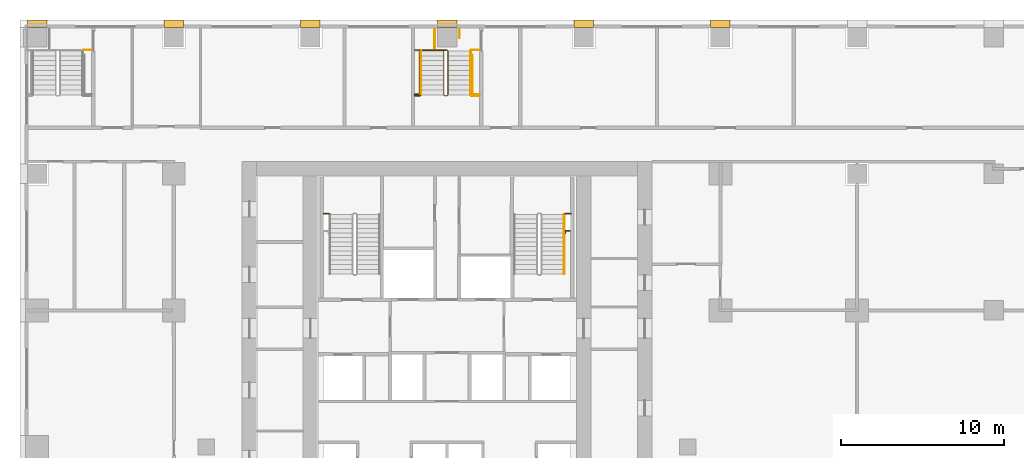
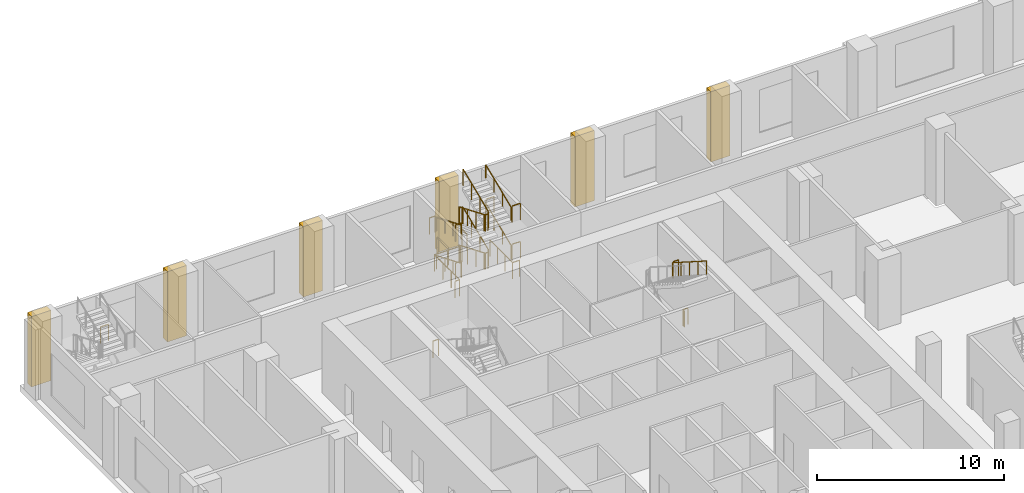
# One storey, part 20 of 23: 20 railings, 6 coverings.
"""IFC4 building model written with IfcOpenShell, lengths in metres."""

from ifc_helpers import new_model, si_unit, direction, frame, origin, origin_2d, place, context, subcontext, project, spatial, polyline, rectangle, outline, extrude, material, type_object, element, save


model = new_model("IFC4")

# Units and contexts
model_context = context("Model", 3, precision=1e-05, world=origin(), true_north=direction((0.0, 1.0)))
body_context = subcontext(model_context, "Body", "Model", "MODEL_VIEW")
ifc_project = project(units=[si_unit("LENGTHUNIT", "METRE"), si_unit("AREAUNIT", "SQUARE_METRE"), si_unit("VOLUMEUNIT", "CUBIC_METRE"), si_unit("PLANEANGLEUNIT", "RADIAN"), si_unit("MASSUNIT", "GRAM", prefix="KILO")], contexts=[model_context])

# Site, building, storey
site_placement = place(None, origin())
site = spatial("IfcSite", under=ifc_project, at=site_placement, CompositionType="ELEMENT")
building_placement = place(site_placement, origin())
building = spatial("IfcBuilding", under=site, at=building_placement, Name="Vermilion Ogive Tower", CompositionType="ELEMENT")
storey_placement = place(building_placement, frame((0.0, 0.0, 20.0)))
storey = spatial("IfcBuildingStorey", under=building, at=storey_placement, Name="L03", CompositionType="ELEMENT", Elevation=20.0)

# Railings
ifc_material_1 = material(Name="Steel S355 painted", Category="steel")
railing_type_1 = type_object("IfcRailingType", Name="Stair guard 1100", PredefinedType="GUARDRAIL", material=ifc_material_1)
railing_1_placement = place(storey_placement, frame((0.0, 28.60009765625, 0.0)))
element("IfcRailing", 1, at=railing_1_placement, inside=storey, type_object=railing_type_1, Name="L03 PS5 stair guard 8", PredefinedType="GUARDRAIL", context=body_context, shape_type="SweptSolid", body=[
    extrude(rectangle(XDim=0.048095703125, YDim=0.048095703125, at=origin_2d()), frame((0.0, 0.0, 1.076171875), z_axis=(-1.0, 0.0, 0.0), x_axis=(0.0, -1.0, 0.0)), (0.0, 0.0, 1.0), 0.14990234375),
    extrude(rectangle(XDim=0.048095703125, YDim=0.048095703125, at=origin_2d()), frame((-0.14990234375, 0.0, 1.076171875), z_axis=(-0.34841279274, -0.34841279274, 0.870182194549), x_axis=(0.707106781187, -0.707106781187, 0.0)), (0.0, 0.0, 1.0), 0.1435546875),
    extrude(rectangle(XDim=0.048095703125, YDim=0.048095703125, at=origin_2d()), frame((-0.199951171875, -0.050048828125, 1.201171875), z_axis=(0.0, -0.923074453586, 0.384621311341), x_axis=(1.0, 0.0, 0.0)), (0.0, 0.0, 1.0), 2.925048828125),
    extrude(rectangle(XDim=0.048095703125, YDim=0.048095703125, at=origin_2d()), frame((-0.199951171875, -2.75, 2.326171875), z_axis=(0.707106781187, -0.707106781187, 0.0), x_axis=(0.707106781187, 0.707106781187, 0.0)), (0.0, 0.0, 1.0), 0.07080078125),
    extrude(rectangle(XDim=0.048095703125, YDim=0.048095703125, at=origin_2d()), frame((-0.14990234375, -2.800048828125, 2.326171875), z_axis=(1.0, 0.0, 0.0), x_axis=(0.0, 1.0, 0.0)), (0.0, 0.0, 1.0), 0.14990234375),
    extrude(rectangle(XDim=0.048095703125, YDim=0.048095703125, at=origin_2d()), frame((0.0, -2.800048828125, 2.326171875), z_axis=(0.34841279274, 0.34841279274, 0.870182194549), x_axis=(-0.707106781187, 0.707106781187, 0.0)), (0.0, 0.0, 1.0), 0.1435546875),
    extrude(rectangle(XDim=0.048095703125, YDim=0.048095703125, at=origin_2d()), frame((0.050048828125, -2.75, 2.451171875), z_axis=(0.0, 0.923074453586, 0.384621311341), x_axis=(-1.0, 0.0, 0.0)), (0.0, 0.0, 1.0), 2.925048828125),
    extrude(rectangle(XDim=0.048095703125, YDim=0.048095703125, at=origin_2d()), frame((0.050048828125, -0.050048828125, 3.576171875), z_axis=(-0.707106781187, 0.707106781187, 0.0), x_axis=(-0.707106781187, -0.707106781187, 0.0)), (0.0, 0.0, 1.0), 0.07080078125),
    extrude(rectangle(XDim=0.048095703125, YDim=0.048095703125, at=origin_2d()), frame((0.0, 0.0, 3.576171875), z_axis=(-1.0, 0.0, 0.0), x_axis=(0.0, -1.0, 0.0)), (0.0, 0.0, 1.0), 0.14990234375),
    extrude(rectangle(XDim=0.048095703125, YDim=0.048095703125, at=origin_2d()), frame((-0.14990234375, 0.0, 3.576171875), z_axis=(-0.34841279274, -0.34841279274, 0.870182194549), x_axis=(0.707106781187, -0.707106781187, 0.0)), (0.0, 0.0, 1.0), 0.1435546875),
    extrude(rectangle(XDim=0.048095703125, YDim=0.048095703125, at=origin_2d()), frame((-0.199951171875, -0.050048828125, 3.701171875), z_axis=(0.0, -0.923074453586, 0.384621311341), x_axis=(1.0, 0.0, 0.0)), (0.0, 0.0, 1.0), 2.925048828125),
    extrude(rectangle(XDim=0.048095703125, YDim=0.048095703125, at=origin_2d()), frame((-0.199951171875, -2.75, 4.826171875), z_axis=(0.707106781187, -0.707106781187, 0.0), x_axis=(0.707106781187, 0.707106781187, 0.0)), (0.0, 0.0, 1.0), 0.07080078125),
    extrude(rectangle(XDim=0.048095703125, YDim=0.048095703125, at=origin_2d()), frame((-0.14990234375, -2.800048828125, 4.826171875), z_axis=(1.0, 0.0, 0.0), x_axis=(0.0, 1.0, 0.0)), (0.0, 0.0, 1.0), 0.14990234375),
    extrude(rectangle(XDim=0.048095703125, YDim=0.048095703125, at=origin_2d()), frame((0.0, -2.800048828125, 4.826171875), z_axis=(0.34841279274, 0.34841279274, 0.870182194549), x_axis=(-0.707106781187, 0.707106781187, 0.0)), (0.0, 0.0, 1.0), 0.1435546875),
    extrude(rectangle(XDim=0.048095703125, YDim=0.048095703125, at=origin_2d()), frame((0.050048828125, -2.75, 4.951171875), z_axis=(0.0, 0.923074453586, 0.384621311341), x_axis=(-1.0, 0.0, 0.0)), (0.0, 0.0, 1.0), 2.925048828125),
    extrude(rectangle(XDim=0.0419921875, YDim=0.0419921875, at=origin_2d()), origin(), (0.0, 0.0, 1.0), 1.052001953125),
    extrude(rectangle(XDim=0.0419921875, YDim=0.0419921875, at=origin_2d()), frame((-0.14990234375, 0.0, 0.0)), (0.0, 0.0, 1.0), 1.052001953125),
    extrude(rectangle(XDim=0.0419921875, YDim=0.0419921875, at=origin_2d()), frame((-0.199951171875, -0.050048828125, 0.125)), (0.0, 0.0, 1.0), 1.052001953125),
    extrude(rectangle(XDim=0.0419921875, YDim=0.0419921875, at=origin_2d()), frame((-0.199951171875, -0.949951171875, 0.5)), (0.0, 0.0, 1.0), 1.052001953125),
    extrude(rectangle(XDim=0.0419921875, YDim=0.0419921875, at=origin_2d()), frame((-0.199951171875, -1.85009765625, 0.875)), (0.0, 0.0, 1.0), 1.052001953125),
    extrude(rectangle(XDim=0.0419921875, YDim=0.0419921875, at=origin_2d()), frame((-0.199951171875, -2.75, 1.25)), (0.0, 0.0, 1.0), 1.052001953125),
    extrude(rectangle(XDim=0.0419921875, YDim=0.0419921875, at=origin_2d()), frame((-0.14990234375, -2.800048828125, 1.25)), (0.0, 0.0, 1.0), 1.052001953125),
    extrude(rectangle(XDim=0.0419921875, YDim=0.0419921875, at=origin_2d()), frame((0.0, -2.800048828125, 1.25)), (0.0, 0.0, 1.0), 1.052001953125),
    extrude(rectangle(XDim=0.0419921875, YDim=0.0419921875, at=origin_2d()), frame((0.050048828125, -2.75, 1.375)), (0.0, 0.0, 1.0), 1.052001953125),
    extrude(rectangle(XDim=0.0419921875, YDim=0.0419921875, at=origin_2d()), frame((0.050048828125, -1.85009765625, 1.75)), (0.0, 0.0, 1.0), 1.052001953125),
    extrude(rectangle(XDim=0.0419921875, YDim=0.0419921875, at=origin_2d()), frame((0.050048828125, -0.949951171875, 2.125)), (0.0, 0.0, 1.0), 1.052001953125),
    extrude(rectangle(XDim=0.0419921875, YDim=0.0419921875, at=origin_2d()), frame((0.050048828125, -0.050048828125, 2.5)), (0.0, 0.0, 1.0), 1.052001953125),
    extrude(rectangle(XDim=0.0419921875, YDim=0.0419921875, at=origin_2d()), frame((0.0, 0.0, 2.5)), (0.0, 0.0, 1.0), 1.052001953125),
    extrude(rectangle(XDim=0.0419921875, YDim=0.0419921875, at=origin_2d()), frame((-0.14990234375, 0.0, 2.5)), (0.0, 0.0, 1.0), 1.052001953125),
    extrude(rectangle(XDim=0.0419921875, YDim=0.0419921875, at=origin_2d()), frame((-0.199951171875, -0.050048828125, 2.625)), (0.0, 0.0, 1.0), 1.052001953125),
    extrude(rectangle(XDim=0.0419921875, YDim=0.0419921875, at=origin_2d()), frame((-0.199951171875, -0.949951171875, 3.0)), (0.0, 0.0, 1.0), 1.052001953125),
    extrude(rectangle(XDim=0.0419921875, YDim=0.0419921875, at=origin_2d()), frame((-0.199951171875, -1.85009765625, 3.375)), (0.0, 0.0, 1.0), 1.052001953125),
    extrude(rectangle(XDim=0.0419921875, YDim=0.0419921875, at=origin_2d()), frame((-0.199951171875, -2.75, 3.75)), (0.0, 0.0, 1.0), 1.052001953125),
    extrude(rectangle(XDim=0.0419921875, YDim=0.0419921875, at=origin_2d()), frame((-0.14990234375, -2.800048828125, 3.75)), (0.0, 0.0, 1.0), 1.052001953125),
    extrude(rectangle(XDim=0.0419921875, YDim=0.0419921875, at=origin_2d()), frame((0.0, -2.800048828125, 3.75)), (0.0, 0.0, 1.0), 1.052001953125),
    extrude(rectangle(XDim=0.0419921875, YDim=0.0419921875, at=origin_2d()), frame((0.050048828125, -2.75, 3.875)), (0.0, 0.0, 1.0), 1.052001953125),
    extrude(rectangle(XDim=0.0419921875, YDim=0.0419921875, at=origin_2d()), frame((0.050048828125, -1.85009765625, 4.25)), (0.0, 0.0, 1.0), 1.052001953125),
    extrude(rectangle(XDim=0.0419921875, YDim=0.0419921875, at=origin_2d()), frame((0.050048828125, -0.949951171875, 4.625)), (0.0, 0.0, 1.0), 1.052001953125),
    extrude(rectangle(XDim=0.0419921875, YDim=0.0419921875, at=origin_2d()), frame((0.050048828125, -0.050048828125, 5.0)), (0.0, 0.0, 1.0), 1.052001953125),
])
for number, where, name in (
    (2, (-7.60009765625, 18.5400390625, 2.5), "L03 landing guard"),
    (3, (7.25, 18.5400390625, 2.5), "L03 landing guard"),
):
    element("IfcRailing", number, at=place(storey_placement, frame(where)), inside=storey, type_object=railing_type_1, Name=name, PredefinedType="GUARDRAIL", context=body_context, shape_type="SweptSolid", body=[
        extrude(rectangle(XDim=0.048095703125, YDim=0.048095703125, at=origin_2d()), frame((0.0, 0.0, 1.076171875), z_axis=(1.0, 0.0, 0.0), x_axis=(0.0, 1.0, 0.0)), (0.0, 0.0, 1.0), 0.35009765625),
        extrude(rectangle(XDim=0.0419921875, YDim=0.0419921875, at=origin_2d()), origin(), (0.0, 0.0, 1.0), 1.052001953125),
        extrude(rectangle(XDim=0.0419921875, YDim=0.0419921875, at=origin_2d()), frame((0.35009765625, 0.0, 0.0)), (0.0, 0.0, 1.0), 1.052001953125),
    ])
railing_2_placement = place(storey_placement, frame((-22.35009765625, 28.60009765625, 2.5)))
element("IfcRailing", 4, at=railing_2_placement, inside=storey, type_object=railing_type_1, Name="L03 landing guard", PredefinedType="GUARDRAIL", context=body_context, shape_type="SweptSolid", body=[
    extrude(rectangle(XDim=0.048095703125, YDim=0.048095703125, at=origin_2d()), frame((0.0, 0.0, 1.076171875), z_axis=(1.0, 0.0, 0.0), x_axis=(0.0, 1.0, 0.0)), (0.0, 0.0, 1.0), 0.5),
    extrude(rectangle(XDim=0.0419921875, YDim=0.0419921875, at=origin_2d()), origin(), (0.0, 0.0, 1.0), 1.052001953125),
    extrude(rectangle(XDim=0.0419921875, YDim=0.0419921875, at=origin_2d()), frame((0.5, 0.0, 0.0)), (0.0, 0.0, 1.0), 1.052001953125),
])
railing_3_placement = place(storey_placement, frame((-2.0, 25.800048828125, 1.25)))
element("IfcRailing", 5, at=railing_3_placement, inside=storey, type_object=railing_type_1, Name="L03 landing guard", PredefinedType="GUARDRAIL", context=body_context, shape_type="SweptSolid", body=[
    extrude(rectangle(XDim=0.048095703125, YDim=0.048095703125, at=origin_2d()), frame((0.0, 0.0, 1.076171875), z_axis=(1.0, 0.0, 0.0), x_axis=(0.0, 1.0, 0.0)), (0.0, 0.0, 1.0), 0.35009765625),
    extrude(rectangle(XDim=0.0419921875, YDim=0.0419921875, at=origin_2d()), origin(), (0.0, 0.0, 1.0), 1.052001953125),
    extrude(rectangle(XDim=0.0419921875, YDim=0.0419921875, at=origin_2d()), frame((0.35009765625, 0.0, 0.0)), (0.0, 0.0, 1.0), 1.052001953125),
])
railing_4_placement = place(storey_placement, frame((1.5, 25.800048828125, 1.25)))
element("IfcRailing", 6, at=railing_4_placement, inside=storey, type_object=railing_type_1, Name="L03 landing guard", PredefinedType="GUARDRAIL", context=body_context, shape_type="SweptSolid", body=[
    extrude(rectangle(XDim=0.048095703125, YDim=0.048095703125, at=origin_2d()), frame((0.0, 0.0, 1.076171875), z_axis=(1.0, 0.0, 0.0), x_axis=(0.0, 1.0, 0.0)), (0.0, 0.0, 1.0), 0.5),
    extrude(rectangle(XDim=0.0419921875, YDim=0.0419921875, at=origin_2d()), origin(), (0.0, 0.0, 1.0), 1.052001953125),
    extrude(rectangle(XDim=0.0419921875, YDim=0.0419921875, at=origin_2d()), frame((0.5, 0.0, 0.0)), (0.0, 0.0, 1.0), 1.052001953125),
])
railing_5_placement = place(storey_placement, frame((-2.0, 28.60009765625, 2.5)))
element("IfcRailing", 7, at=railing_5_placement, inside=storey, type_object=railing_type_1, Name="L03 landing guard", PredefinedType="GUARDRAIL", context=body_context, shape_type="SweptSolid", body=[
    extrude(rectangle(XDim=0.048095703125, YDim=0.048095703125, at=origin_2d()), frame((0.0, 0.0, 1.076171875), z_axis=(1.0, 0.0, 0.0), x_axis=(0.0, 1.0, 0.0)), (0.0, 0.0, 1.0), 0.35009765625),
    extrude(rectangle(XDim=0.0419921875, YDim=0.0419921875, at=origin_2d()), origin(), (0.0, 0.0, 1.0), 1.052001953125),
    extrude(rectangle(XDim=0.0419921875, YDim=0.0419921875, at=origin_2d()), frame((0.35009765625, 0.0, 0.0)), (0.0, 0.0, 1.0), 1.052001953125),
])
railing_6_placement = place(storey_placement, frame((1.5, 28.60009765625, 2.5)))
element("IfcRailing", 8, at=railing_6_placement, inside=storey, type_object=railing_type_1, Name="L03 landing guard", PredefinedType="GUARDRAIL", context=body_context, shape_type="SweptSolid", body=[
    extrude(rectangle(XDim=0.048095703125, YDim=0.048095703125, at=origin_2d()), frame((0.0, 0.0, 1.076171875), z_axis=(1.0, 0.0, 0.0), x_axis=(0.0, 1.0, 0.0)), (0.0, 0.0, 1.0), 0.5),
    extrude(rectangle(XDim=0.0419921875, YDim=0.0419921875, at=origin_2d()), origin(), (0.0, 0.0, 1.0), 1.052001953125),
    extrude(rectangle(XDim=0.0419921875, YDim=0.0419921875, at=origin_2d()), frame((0.5, 0.0, 0.0)), (0.0, 0.0, 1.0), 1.052001953125),
])
railing_7_placement = place(storey_placement, frame((-2.0, 25.800048828125, 3.75)))
element("IfcRailing", 9, at=railing_7_placement, inside=storey, type_object=railing_type_1, Name="L03 landing guard", PredefinedType="GUARDRAIL", context=body_context, shape_type="SweptSolid", body=[
    extrude(rectangle(XDim=0.048095703125, YDim=0.048095703125, at=origin_2d()), frame((0.0, 0.0, 1.076171875), z_axis=(1.0, 0.0, 0.0), x_axis=(0.0, 1.0, 0.0)), (0.0, 0.0, 1.0), 0.35009765625),
    extrude(rectangle(XDim=0.0419921875, YDim=0.0419921875, at=origin_2d()), origin(), (0.0, 0.0, 1.0), 1.052001953125),
    extrude(rectangle(XDim=0.0419921875, YDim=0.0419921875, at=origin_2d()), frame((0.35009765625, 0.0, 0.0)), (0.0, 0.0, 1.0), 1.052001953125),
])
railing_8_placement = place(storey_placement, frame((1.5, 25.800048828125, 3.75)))
element("IfcRailing", 10, at=railing_8_placement, inside=storey, type_object=railing_type_1, Name="L03 landing guard", PredefinedType="GUARDRAIL", context=body_context, shape_type="SweptSolid", body=[
    extrude(rectangle(XDim=0.048095703125, YDim=0.048095703125, at=origin_2d()), frame((0.0, 0.0, 1.076171875), z_axis=(1.0, 0.0, 0.0), x_axis=(0.0, 1.0, 0.0)), (0.0, 0.0, 1.0), 0.5),
    extrude(rectangle(XDim=0.0419921875, YDim=0.0419921875, at=origin_2d()), origin(), (0.0, 0.0, 1.0), 1.052001953125),
    extrude(rectangle(XDim=0.0419921875, YDim=0.0419921875, at=origin_2d()), frame((0.5, 0.0, 0.0)), (0.0, 0.0, 1.0), 1.052001953125),
])
railing_9_placement = place(storey_placement, frame((-1.9892578125, 25.884521484375, 0.0)))
element("IfcRailing", 11, at=railing_9_placement, inside=storey, type_object=railing_type_1, Name="L03 stair opening guard", PredefinedType="GUARDRAIL", context=body_context, shape_type="SweptSolid", body=[
    extrude(rectangle(XDim=0.048095703125, YDim=0.048095703125, at=origin_2d()), frame((0.0, 0.0, 1.076171875), z_axis=(1.0, 0.0, 0.0), x_axis=(0.0, 1.0, 0.0)), (0.0, 0.0, 1.0), 0.2900390625),
    extrude(rectangle(XDim=0.048095703125, YDim=0.048095703125, at=origin_2d()), frame((0.2900390625, 0.0, 1.076171875), z_axis=(0.0, 1.0, 0.0), x_axis=(-1.0, 0.0, 0.0)), (0.0, 0.0, 1.0), 2.699951171875),
    extrude(rectangle(XDim=0.048095703125, YDim=0.048095703125, at=origin_2d()), frame((0.2900390625, 2.699951171875, 1.076171875), z_axis=(1.0, 0.0, 0.0), x_axis=(0.0, 1.0, 0.0)), (0.0, 0.0, 1.0), 1.60009765625),
    extrude(rectangle(XDim=0.0419921875, YDim=0.0419921875, at=origin_2d()), origin(), (0.0, 0.0, 1.0), 1.052001953125),
    extrude(rectangle(XDim=0.0419921875, YDim=0.0419921875, at=origin_2d()), frame((0.2900390625, 0.0, 0.0)), (0.0, 0.0, 1.0), 1.052001953125),
    extrude(rectangle(XDim=0.0419921875, YDim=0.0419921875, at=origin_2d()), frame((0.2900390625, 0.89990234375, 0.0)), (0.0, 0.0, 1.0), 1.052001953125),
    extrude(rectangle(XDim=0.0419921875, YDim=0.0419921875, at=origin_2d()), frame((0.2900390625, 1.800048828125, 0.0)), (0.0, 0.0, 1.0), 1.052001953125),
    extrude(rectangle(XDim=0.0419921875, YDim=0.0419921875, at=origin_2d()), frame((0.2900390625, 2.699951171875, 0.0)), (0.0, 0.0, 1.0), 1.052001953125),
    extrude(rectangle(XDim=0.0419921875, YDim=0.0419921875, at=origin_2d()), frame((1.090087890625, 2.699951171875, 0.0)), (0.0, 0.0, 1.0), 1.052001953125),
    extrude(rectangle(XDim=0.0419921875, YDim=0.0419921875, at=origin_2d()), frame((1.89013671875, 2.699951171875, 0.0)), (0.0, 0.0, 1.0), 1.052001953125),
])
railing_10_placement = place(storey_placement, frame((1.55908203125, 28.284912109375, 0.0)))
element("IfcRailing", 12, at=railing_10_placement, inside=storey, type_object=railing_type_1, Name="L03 stair opening guard", PredefinedType="GUARDRAIL", context=body_context, shape_type="SweptSolid", body=[
    extrude(rectangle(XDim=0.048095703125, YDim=0.048095703125, at=origin_2d()), frame((0.0, 0.0, 1.076171875), z_axis=(0.0, -1.0, 0.0), x_axis=(1.0, 0.0, 0.0)), (0.0, 0.0, 1.0), 2.42431640625),
    extrude(rectangle(XDim=0.048095703125, YDim=0.048095703125, at=origin_2d()), frame((0.0, -2.42431640625, 1.076171875), z_axis=(1.0, 0.0, 0.0), x_axis=(0.0, 1.0, 0.0)), (0.0, 0.0, 1.0), 0.43994140625),
    extrude(rectangle(XDim=0.0419921875, YDim=0.0419921875, at=origin_2d()), origin(), (0.0, 0.0, 1.0), 1.052001953125),
    extrude(rectangle(XDim=0.0419921875, YDim=0.0419921875, at=origin_2d()), frame((0.0, -0.80810546875, 0.0)), (0.0, 0.0, 1.0), 1.052001953125),
    extrude(rectangle(XDim=0.0419921875, YDim=0.0419921875, at=origin_2d()), frame((0.0, -1.6162109375, 0.0)), (0.0, 0.0, 1.0), 1.052001953125),
    extrude(rectangle(XDim=0.0419921875, YDim=0.0419921875, at=origin_2d()), frame((0.0, -2.42431640625, 0.0)), (0.0, 0.0, 1.0), 1.052001953125),
    extrude(rectangle(XDim=0.0419921875, YDim=0.0419921875, at=origin_2d()), frame((0.43994140625, -2.42431640625, 0.0)), (0.0, 0.0, 1.0), 1.052001953125),
])
railing_11_placement = place(storey_placement, frame((7.27294921875, 17.37451171875, 0.0)))
element("IfcRailing", 13, at=railing_11_placement, inside=storey, type_object=railing_type_1, Name="L03 stair opening guard", PredefinedType="GUARDRAIL", context=body_context, shape_type="SweptSolid", body=[
    extrude(rectangle(XDim=0.048095703125, YDim=0.048095703125, at=origin_2d()), frame((0.0, 0.0, 1.076171875), z_axis=(0.0, 1.0, 0.0), x_axis=(-1.0, 0.0, 0.0)), (0.0, 0.0, 1.0), 0.1201171875),
    extrude(rectangle(XDim=0.048095703125, YDim=0.048095703125, at=origin_2d()), frame((0.0, 0.1201171875, 1.076171875), z_axis=(1.0, 0.0, 0.0), x_axis=(0.0, 1.0, 0.0)), (0.0, 0.0, 1.0), 0.2900390625),
    extrude(rectangle(XDim=0.0419921875, YDim=0.0419921875, at=origin_2d()), origin(), (0.0, 0.0, 1.0), 1.052001953125),
    extrude(rectangle(XDim=0.0419921875, YDim=0.0419921875, at=origin_2d()), frame((0.0, 0.1201171875, 0.0)), (0.0, 0.0, 1.0), 1.052001953125),
    extrude(rectangle(XDim=0.0419921875, YDim=0.0419921875, at=origin_2d()), frame((0.2900390625, 0.1201171875, 0.0)), (0.0, 0.0, 1.0), 1.052001953125),
])
railing_12_placement = place(storey_placement, frame((0.760009765625, 29.347412109375, 0.0)))
element("IfcRailing", 14, at=railing_12_placement, inside=storey, type_object=railing_type_1, Name="L03 stair opening guard", PredefinedType="GUARDRAIL", context=body_context, shape_type="SweptSolid", body=[
    extrude(rectangle(XDim=0.048095703125, YDim=0.048095703125, at=origin_2d()), frame((0.0, 0.0, 1.076171875), z_axis=(0.0, 1.0, 0.0), x_axis=(-1.0, 0.0, 0.0)), (0.0, 0.0, 1.0), 0.54248046875),
    extrude(rectangle(XDim=0.0419921875, YDim=0.0419921875, at=origin_2d()), origin(), (0.0, 0.0, 1.0), 1.052001953125),
    extrude(rectangle(XDim=0.0419921875, YDim=0.0419921875, at=origin_2d()), frame((0.0, 0.54248046875, 0.0)), (0.0, 0.0, 1.0), 1.052001953125),
])
railing_13_placement = place(storey_placement, frame((-0.760009765625, 29.889892578125, 0.0)))
element("IfcRailing", 15, at=railing_13_placement, inside=storey, type_object=railing_type_1, Name="L03 stair opening guard", PredefinedType="GUARDRAIL", context=body_context, shape_type="SweptSolid", body=[
    extrude(rectangle(XDim=0.048095703125, YDim=0.048095703125, at=origin_2d()), frame((0.0, 0.0, 1.076171875), z_axis=(0.0, -1.0, 0.0), x_axis=(1.0, 0.0, 0.0)), (0.0, 0.0, 1.0), 1.1552734375),
    extrude(rectangle(XDim=0.0419921875, YDim=0.0419921875, at=origin_2d()), origin(), (0.0, 0.0, 1.0), 1.052001953125),
    extrude(rectangle(XDim=0.0419921875, YDim=0.0419921875, at=origin_2d()), frame((0.0, -1.1552734375, 0.0)), (0.0, 0.0, 1.0), 1.052001953125),
])
ifc_material_2 = material(Name="Stainless steel", Category="steel")
railing_type_2 = type_object("IfcRailingType", Name="Stair handrail 900", PredefinedType="HANDRAIL", material=ifc_material_2)
railing_14_placement = place(storey_placement, frame((7.199951171875, 18.489990234375, 2.678466796875)))
element("IfcRailing", 16, at=railing_14_placement, inside=storey, type_object=railing_type_2, Name="L03 ST2 stair handrail 2", PredefinedType="HANDRAIL", context=body_context, shape_type="SweptSolid", body=[
    extrude(rectangle(XDim=0.048095703125, YDim=0.048095703125, at=origin_2d()), frame((0.0, 0.0, 0.8759765625), z_axis=(0.0, -0.843111507901, 0.53773877045), x_axis=(1.0, 0.0, 0.0)), (0.0, 0.0, 1.0), 4.317138671875),
    extrude(rectangle(XDim=0.0419921875, YDim=0.0419921875, at=origin_2d()), origin(), (0.0, 0.0, 1.0), 0.851806640625),
    extrude(rectangle(XDim=0.0419921875, YDim=0.0419921875, at=origin_2d()), frame((0.0, -0.909912109375, 0.580322265625)), (0.0, 0.0, 1.0), 0.851806640625),
    extrude(rectangle(XDim=0.0419921875, YDim=0.0419921875, at=origin_2d()), frame((0.0, -1.81982421875, 1.16064453125)), (0.0, 0.0, 1.0), 0.851806640625),
    extrude(rectangle(XDim=0.0419921875, YDim=0.0419921875, at=origin_2d()), frame((0.0, -2.72998046875, 1.7412109375)), (0.0, 0.0, 1.0), 0.851806640625),
    extrude(rectangle(XDim=0.0419921875, YDim=0.0419921875, at=origin_2d()), frame((0.0, -3.639892578125, 2.321533203125)), (0.0, 0.0, 1.0), 0.851806640625),
])
railing_15_placement = place(storey_placement, frame((-1.60009765625, 28.550048828125, 0.125)))
element("IfcRailing", 17, at=railing_15_placement, inside=storey, type_object=railing_type_2, Name="L03 PS5 stair handrail 1", PredefinedType="HANDRAIL", context=body_context, shape_type="SweptSolid", body=[
    extrude(rectangle(XDim=0.048095703125, YDim=0.048095703125, at=origin_2d()), frame((0.0, 0.0, 0.8759765625), z_axis=(0.0, -0.923074453586, 0.384621311341), x_axis=(1.0, 0.0, 0.0)), (0.0, 0.0, 1.0), 2.925048828125),
    extrude(rectangle(XDim=0.0419921875, YDim=0.0419921875, at=origin_2d()), origin(), (0.0, 0.0, 1.0), 0.851806640625),
    extrude(rectangle(XDim=0.0419921875, YDim=0.0419921875, at=origin_2d()), frame((0.0, -0.89990234375, 0.375)), (0.0, 0.0, 1.0), 0.851806640625),
    extrude(rectangle(XDim=0.0419921875, YDim=0.0419921875, at=origin_2d()), frame((0.0, -1.800048828125, 0.75)), (0.0, 0.0, 1.0), 0.851806640625),
    extrude(rectangle(XDim=0.0419921875, YDim=0.0419921875, at=origin_2d()), frame((0.0, -2.699951171875, 1.125)), (0.0, 0.0, 1.0), 0.851806640625),
])
railing_16_placement = place(storey_placement, frame((1.449951171875, 25.85009765625, 1.375)))
element("IfcRailing", 18, at=railing_16_placement, inside=storey, type_object=railing_type_2, Name="L03 PS5 stair handrail 2", PredefinedType="HANDRAIL", context=body_context, shape_type="SweptSolid", body=[
    extrude(rectangle(XDim=0.048095703125, YDim=0.048095703125, at=origin_2d()), frame((0.0, 0.0, 0.8759765625), z_axis=(0.0, 0.923074453586, 0.384621311341), x_axis=(-1.0, 0.0, 0.0)), (0.0, 0.0, 1.0), 2.925048828125),
    extrude(rectangle(XDim=0.0419921875, YDim=0.0419921875, at=origin_2d()), origin(), (0.0, 0.0, 1.0), 0.851806640625),
    extrude(rectangle(XDim=0.0419921875, YDim=0.0419921875, at=origin_2d()), frame((0.0, 0.89990234375, 0.375)), (0.0, 0.0, 1.0), 0.851806640625),
    extrude(rectangle(XDim=0.0419921875, YDim=0.0419921875, at=origin_2d()), frame((0.0, 1.800048828125, 0.75)), (0.0, 0.0, 1.0), 0.851806640625),
    extrude(rectangle(XDim=0.0419921875, YDim=0.0419921875, at=origin_2d()), frame((0.0, 2.699951171875, 1.125)), (0.0, 0.0, 1.0), 0.851806640625),
])
railing_17_placement = place(storey_placement, frame((-1.60009765625, 28.550048828125, 2.625)))
element("IfcRailing", 19, at=railing_17_placement, inside=storey, type_object=railing_type_2, Name="L03 PS5 stair handrail 3", PredefinedType="HANDRAIL", context=body_context, shape_type="SweptSolid", body=[
    extrude(rectangle(XDim=0.048095703125, YDim=0.048095703125, at=origin_2d()), frame((0.0, 0.0, 0.8759765625), z_axis=(0.0, -0.923074453586, 0.384621311341), x_axis=(1.0, 0.0, 0.0)), (0.0, 0.0, 1.0), 2.925048828125),
    extrude(rectangle(XDim=0.0419921875, YDim=0.0419921875, at=origin_2d()), origin(), (0.0, 0.0, 1.0), 0.851806640625),
    extrude(rectangle(XDim=0.0419921875, YDim=0.0419921875, at=origin_2d()), frame((0.0, -0.89990234375, 0.375)), (0.0, 0.0, 1.0), 0.851806640625),
    extrude(rectangle(XDim=0.0419921875, YDim=0.0419921875, at=origin_2d()), frame((0.0, -1.800048828125, 0.75)), (0.0, 0.0, 1.0), 0.851806640625),
    extrude(rectangle(XDim=0.0419921875, YDim=0.0419921875, at=origin_2d()), frame((0.0, -2.699951171875, 1.125)), (0.0, 0.0, 1.0), 0.851806640625),
])
railing_18_placement = place(storey_placement, frame((1.449951171875, 25.85009765625, 3.875)))
element("IfcRailing", 20, at=railing_18_placement, inside=storey, type_object=railing_type_2, Name="L03 PS5 stair handrail 4", PredefinedType="HANDRAIL", context=body_context, shape_type="SweptSolid", body=[
    extrude(rectangle(XDim=0.048095703125, YDim=0.048095703125, at=origin_2d()), frame((0.0, 0.0, 0.8759765625), z_axis=(0.0, 0.923074453586, 0.384621311341), x_axis=(-1.0, 0.0, 0.0)), (0.0, 0.0, 1.0), 2.925048828125),
    extrude(rectangle(XDim=0.0419921875, YDim=0.0419921875, at=origin_2d()), origin(), (0.0, 0.0, 1.0), 0.851806640625),
    extrude(rectangle(XDim=0.0419921875, YDim=0.0419921875, at=origin_2d()), frame((0.0, 0.89990234375, 0.375)), (0.0, 0.0, 1.0), 0.851806640625),
    extrude(rectangle(XDim=0.0419921875, YDim=0.0419921875, at=origin_2d()), frame((0.0, 1.800048828125, 0.75)), (0.0, 0.0, 1.0), 0.851806640625),
    extrude(rectangle(XDim=0.0419921875, YDim=0.0419921875, at=origin_2d()), frame((0.0, 2.699951171875, 1.125)), (0.0, 0.0, 1.0), 0.851806640625),
])

# Coverings
ifc_material_3 = material(Name="Stone cladding", Category="masonry")
covering_type = type_object("IfcCoveringType", Name="Stone pier", PredefinedType="CLADDING", material=ifc_material_3)
covering_1_placement = place(storey_placement, origin())
element("IfcCovering", 21, at=covering_1_placement, inside=storey, type_object=covering_type, Name="Stone pier P+000+294", PredefinedType="CLADDING", context=body_context, shape_type="SweptSolid", body=[
    extrude(outline(polyline([(-0.60009765625, 30.0), (-0.60009765625, 30.0), (-0.60009765625, 30.449951171875), (0.60009765625, 30.449951171875), (0.60009765625, 30.0), (0.60009765625, 30.0), (-0.60009765625, 30.0)])), origin(), (0.0, 0.0, 1.0), 4.60009765625),
])
covering_2_placement = place(storey_placement, origin())
element("IfcCovering", 22, at=covering_2_placement, inside=storey, type_object=covering_type, Name="Stone pier P+084+294", PredefinedType="CLADDING", context=body_context, shape_type="SweptSolid", body=[
    extrude(outline(polyline([(7.800048828125, 30.0), (7.800048828125, 30.449951171875), (9.0, 30.449951171875), (9.0, 30.0), (7.800048828125, 30.0), (7.800048828125, 30.0)])), origin(), (0.0, 0.0, 1.0), 4.60009765625),
])
covering_3_placement = place(storey_placement, origin())
element("IfcCovering", 23, at=covering_3_placement, inside=storey, type_object=covering_type, Name="Stone pier P+168+294", PredefinedType="CLADDING", context=body_context, shape_type="SweptSolid", body=[
    extrude(outline(polyline([(16.199951171875, 30.0), (16.199951171875, 30.449951171875), (17.39990234375, 30.449951171875), (17.39990234375, 30.0), (17.39990234375, 30.0), (16.199951171875, 30.0)])), origin(), (0.0, 0.0, 1.0), 4.60009765625),
])
covering_4_placement = place(storey_placement, origin())
element("IfcCovering", 24, at=covering_4_placement, inside=storey, type_object=covering_type, Name="Stone pier P-084+294", PredefinedType="CLADDING", context=body_context, shape_type="SweptSolid", body=[
    extrude(outline(polyline([(-9.0, 30.0), (-9.0, 30.449951171875), (-7.800048828125, 30.449951171875), (-7.800048828125, 30.0), (-7.800048828125, 30.0), (-9.0, 30.0)])), origin(), (0.0, 0.0, 1.0), 4.60009765625),
])
covering_5_placement = place(storey_placement, origin())
element("IfcCovering", 25, at=covering_5_placement, inside=storey, type_object=covering_type, Name="Stone pier P-168+294", PredefinedType="CLADDING", context=body_context, shape_type="SweptSolid", body=[
    extrude(outline(polyline([(-17.39990234375, 30.449951171875), (-16.199951171875, 30.449951171875), (-16.199951171875, 30.0), (-17.39990234375, 30.0), (-17.39990234375, 30.449951171875)])), origin(), (0.0, 0.0, 1.0), 4.60009765625),
])
covering_6_placement = place(storey_placement, origin())
element("IfcCovering", 26, at=covering_6_placement, inside=storey, type_object=covering_type, Name="Stone pier P-252+294N", PredefinedType="CLADDING", context=body_context, shape_type="SweptSolid", body=[
    extrude(outline(polyline([(-25.800048828125, 30.449951171875), (-24.60009765625, 30.449951171875), (-24.60009765625, 30.0), (-25.800048828125, 30.0), (-25.800048828125, 30.449951171875)])), origin(), (0.0, 0.0, 1.0), 4.60009765625),
])

save(model, "model.ifc")
